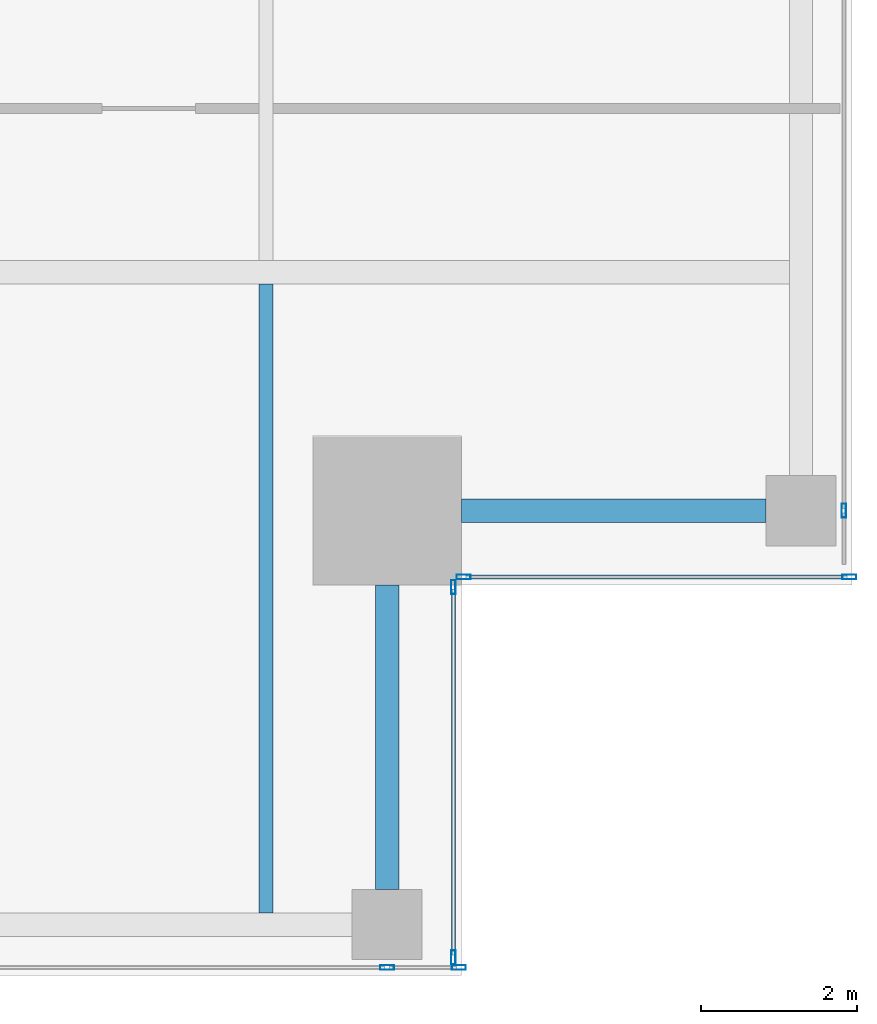
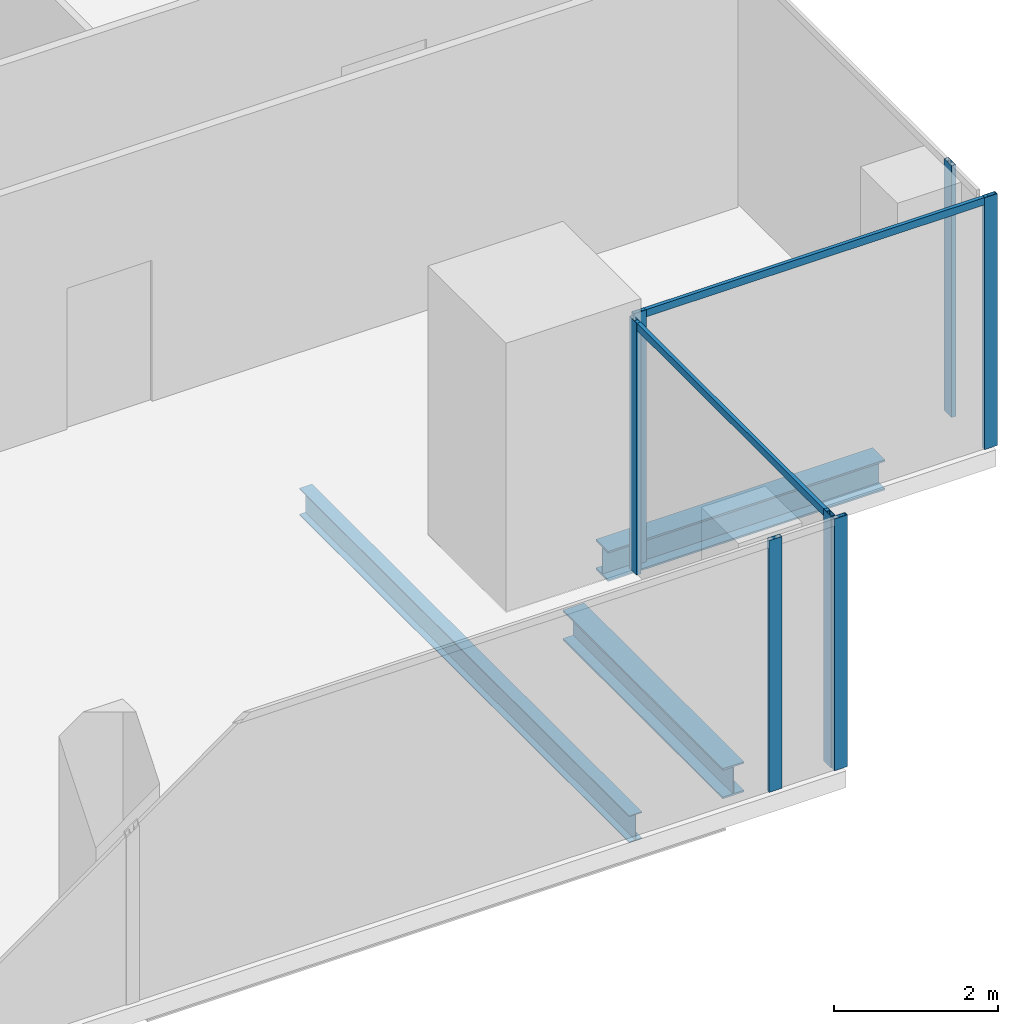
# One storey, part 10 of 35: 9 members, 3 beams, 4 elements without a shape of their own.
"""IFC4 building model written with IfcOpenShell, lengths in metres."""

from ifc_helpers import new_model, si_unit, direction, frame, origin, origin_2d, place, context, subcontext, project, spatial, hollow_rectangle, i_section, extrude, source, transform, mapped, material, material_profile, profile_set, type_object, element, aggregate, save


model = new_model("IFC4")

# Units and contexts
model_context = context("Model", 3, precision=1e-05, world=origin(), true_north=direction((0.0, 1.0)))
body_context = subcontext(model_context, "Body", "Model", "MODEL_VIEW")
ifc_project = project(units=[si_unit("LENGTHUNIT", "METRE"), si_unit("AREAUNIT", "SQUARE_METRE"), si_unit("VOLUMEUNIT", "CUBIC_METRE"), si_unit("PLANEANGLEUNIT", "RADIAN"), si_unit("MASSUNIT", "GRAM", prefix="KILO")], contexts=[model_context])

# Site, building, storey
site_placement = place(None, origin())
site = spatial("IfcSite", under=ifc_project, at=site_placement, CompositionType="ELEMENT")
building_placement = place(site_placement, origin())
building = spatial("IfcBuilding", under=site, at=building_placement, Name="Khomas Fold Tower", CompositionType="ELEMENT")
storey_placement = place(building_placement, frame((0.0, 0.0, 262.199951171875)))
storey = spatial("IfcBuildingStorey", under=building, at=storey_placement, Name="L59", CompositionType="ELEMENT", Elevation=262.199951171875)

# Beams
ifc_material_1 = material(Name="Steel S355", Category="steel")
ifc_material_profile_1 = material_profile(ifc_material_1, i_section(OverallWidth=0.300048828125, OverallDepth=0.449951171875, WebThickness=0.013916015625, FlangeThickness=0.02587890625, at=origin_2d()), Name="HE 450 B")
ifc_profile_set_1 = profile_set([ifc_material_profile_1], Name="Steel S355")
beam_type_1 = type_object("IfcBeamType", Name="HE 450 B spandrel SB4", PredefinedType="SPANDREL", material=ifc_profile_set_1)
shared_shape_1 = source(origin(), body_context, "Body", "SweptSolid", [
    extrude(i_section(OverallWidth=0.300048828125, OverallDepth=0.449951171875, WebThickness=0.013916015625, FlangeThickness=0.02587890625, at=origin_2d()), origin(), (0.0, 0.0, 1.0), 3.89990234375),
])
for number, where, z_axis, x_axis, name in (
    (1, (43.550048828125, 5.60009765625, -0.474853515625), (0.0, 1.0, 0.0), (-1.0, 0.0, 0.0), "SB4"),
    (2, (44.5, 10.449951171875, -0.474853515625), (1.0, 0.0, 0.0), (0.0, 1.0, 0.0), "SB4"),
):
    element("IfcBeam", number, at=place(storey_placement, frame(where, z_axis=z_axis, x_axis=x_axis)), inside=storey, type_object=beam_type_1, Name=name, PredefinedType="SPANDREL", context=body_context, shape_type="MappedRepresentation", body=[
        mapped(shared_shape_1, transform((0.0, 0.0, 0.0))),
    ])
ifc_material_2 = material(Name="Steel S355", Category="steel")
ifc_material_profile_2 = material_profile(ifc_material_2, i_section(OverallWidth=0.179931640625, OverallDepth=0.39990234375, WebThickness=0.008544921875, FlangeThickness=0.013427734375, at=origin_2d()), Name="IPE 400")
ifc_profile_set_2 = profile_set([ifc_material_profile_2], Name="Steel S355")
beam_type_2 = type_object("IfcBeamType", Name="IPE 400 beam JB3", PredefinedType="BEAM", material=ifc_profile_set_2)
shared_shape_2 = source(origin(), body_context, "Body", "SweptSolid", [
    extrude(i_section(OverallWidth=0.179931640625, OverallDepth=0.39990234375, WebThickness=0.008544921875, FlangeThickness=0.013427734375, at=origin_2d()), origin(), (0.0, 0.0, 1.0), 8.050048828125),
])
beam_placement = place(storey_placement, frame((42.0, 5.300048828125, -0.449951171875), z_axis=(0.0, 1.0, 0.0), x_axis=(-1.0, 0.0, 0.0)))
element("IfcBeam", 3, at=beam_placement, inside=storey, type_object=beam_type_2, Name="JB3", PredefinedType="BEAM", context=body_context, shape_type="MappedRepresentation", body=[
    mapped(shared_shape_2, transform((0.0, 0.0, 0.0))),
])

# Curtain wall, members
ifc_material_3 = material(Name="Aluminium framed double glazing", Category="aluminium")
curtain_wall_type = type_object("IfcCurtainWallType", Name="SK-Unitised clear-glass wall, office floors CW2", PredefinedType="NOTDEFINED", material=ifc_material_3)
curtain_wall_1_placement = place(storey_placement, origin())
curtain_wall_1 = element("IfcCurtainWall", 4, at=curtain_wall_1_placement, inside=storey, type_object=curtain_wall_type, Name="CW2 run L59 00-0", PredefinedType="NOTDEFINED")
ifc_material_4 = material(Name="Aluminium", Category="aluminium")
ifc_material_profile_3 = material_profile(ifc_material_4, hollow_rectangle(XDim=0.06005859375, YDim=0.179931640625, WallThickness=0.00390625, at=origin_2d()), Name="SK-Unitised clear-glass wall, office floors mullion CW2-M")
ifc_profile_set_3 = profile_set([ifc_material_profile_3], Name="Aluminium")
member_type_1 = type_object("IfcMemberType", Name="SK-Unitised clear-glass wall, office floors mullion CW2-M", PredefinedType="MULLION", material=ifc_profile_set_3)
shared_shape_3 = source(origin(), body_context, "Body", "SweptSolid", [
    extrude(hollow_rectangle(XDim=0.06005859375, YDim=0.179931640625, WallThickness=0.00390625, at=origin_2d()), origin(), (0.0, 0.0, 1.0), 3.75),
])
member_1_placement = place(storey_placement, frame((43.550048828125, 4.60009765625, 0.0), z_axis=(0.0, 0.0, 1.0), x_axis=(0.0, 1.0, 0.0)))
member_1 = element("IfcMember", 5, at=member_1_placement, type_object=member_type_1, Name="CW2 mullion 6", PredefinedType="MULLION", context=body_context, shape_type="MappedRepresentation", body=[
    mapped(shared_shape_3, transform((0.0, 0.0, 0.0))),
])
member_2_placement = place(storey_placement, frame((44.469970703125, 4.60009765625, 0.0), z_axis=(0.0, 0.0, 1.0), x_axis=(0.0, 1.0, 0.0)))
member_2 = element("IfcMember", 6, at=member_2_placement, type_object=member_type_1, Name="CW2 mullion 7", PredefinedType="MULLION", context=body_context, shape_type="MappedRepresentation", body=[
    mapped(shared_shape_3, transform((0.0, 0.0, 0.0))),
])
aggregate(curtain_wall_1, [member_1, member_2])

curtain_wall_2_placement = place(storey_placement, origin())
curtain_wall_2 = element("IfcCurtainWall", 7, at=curtain_wall_2_placement, inside=storey, type_object=curtain_wall_type, Name="CW2 corner return L59 01", PredefinedType="NOTDEFINED")
member_3_placement = place(storey_placement, frame((44.39990234375, 4.72998046875, 0.0), z_axis=(0.0, 0.0, 1.0), x_axis=(-1.0, 0.0, 0.0)))
member_3 = element("IfcMember", 8, at=member_3_placement, type_object=member_type_1, Name="CW2 mullion 1", PredefinedType="MULLION", context=body_context, shape_type="MappedRepresentation", body=[
    mapped(shared_shape_3, transform((0.0, 0.0, 0.0))),
])
member_4_placement = place(storey_placement, frame((44.39990234375, 9.469970703125, 0.0), z_axis=(0.0, 0.0, 1.0), x_axis=(-1.0, 0.0, 0.0)))
member_4 = element("IfcMember", 9, at=member_4_placement, type_object=member_type_1, Name="CW2 mullion 2", PredefinedType="MULLION", context=body_context, shape_type="MappedRepresentation", body=[
    mapped(shared_shape_3, transform((0.0, 0.0, 0.0))),
])

curtain_wall_3_placement = place(storey_placement, origin())
curtain_wall_3 = element("IfcCurtainWall", 10, at=curtain_wall_3_placement, inside=storey, type_object=curtain_wall_type, Name="CW2 corner return L59 02", PredefinedType="NOTDEFINED")
member_5_placement = place(storey_placement, frame((44.530029296875, 9.60009765625, 0.0), z_axis=(0.0, 0.0, 1.0), x_axis=(0.0, 1.0, 0.0)))
member_5 = element("IfcMember", 11, at=member_5_placement, type_object=member_type_1, Name="CW2 mullion 1", PredefinedType="MULLION", context=body_context, shape_type="MappedRepresentation", body=[
    mapped(shared_shape_3, transform((0.0, 0.0, 0.0))),
])
member_6_placement = place(storey_placement, frame((49.469970703125, 9.60009765625, 0.0), z_axis=(0.0, 0.0, 1.0), x_axis=(0.0, 1.0, 0.0)))
member_6 = element("IfcMember", 12, at=member_6_placement, type_object=member_type_1, Name="CW2 mullion 2", PredefinedType="MULLION", context=body_context, shape_type="MappedRepresentation", body=[
    mapped(shared_shape_3, transform((0.0, 0.0, 0.0))),
])

# Curtain wall, member
curtain_wall_4_placement = place(storey_placement, origin())
curtain_wall_4 = element("IfcCurtainWall", 13, at=curtain_wall_4_placement, inside=storey, type_object=curtain_wall_type, Name="CW2 run L59 03-0", PredefinedType="NOTDEFINED")
member_7_placement = place(storey_placement, frame((49.39990234375, 10.449951171875, 0.0), z_axis=(0.0, 0.0, 1.0), x_axis=(-1.0, 0.0, 0.0)))
member_7 = element("IfcMember", 14, at=member_7_placement, type_object=member_type_1, Name="CW2 mullion 2", PredefinedType="MULLION", context=body_context, shape_type="MappedRepresentation", body=[
    mapped(shared_shape_3, transform((0.0, 0.0, 0.0))),
])
aggregate(curtain_wall_4, [member_7])

# Member
ifc_material_5 = material(Name="Aluminium", Category="aluminium")
ifc_material_profile_4 = material_profile(ifc_material_5, hollow_rectangle(XDim=0.050048828125, YDim=0.110107421875, WallThickness=0.00390625, at=origin_2d()), Name="SK-Unitised clear-glass wall, office floors transom CW2-T")
ifc_profile_set_4 = profile_set([ifc_material_profile_4], Name="Aluminium")
member_type_2 = type_object("IfcMemberType", Name="SK-Unitised clear-glass wall, office floors transom CW2-T", PredefinedType="USERDEFINED", material=ifc_profile_set_4)
shared_shape_4 = source(origin(), body_context, "Body", "SweptSolid", [
    extrude(hollow_rectangle(XDim=0.050048828125, YDim=0.110107421875, WallThickness=0.00390625, at=origin_2d()), origin(), (0.0, 0.0, 1.0), 4.679931640625),
])
member_8_placement = place(storey_placement, frame((44.39990234375, 4.760009765625, 3.695068359375), z_axis=(0.0, 1.0, 0.0), x_axis=(-1.0, 0.0, 0.0)))
member_8 = element("IfcMember", 15, at=member_8_placement, type_object=member_type_2, Name="CW2 transom 1", ObjectType="TRANSOM", PredefinedType="USERDEFINED", context=body_context, shape_type="MappedRepresentation", body=[
    mapped(shared_shape_4, transform((0.0, 0.0, 0.0))),
])

aggregate(curtain_wall_2, [member_3, member_4, member_8])

shared_shape_5 = source(origin(), body_context, "Body", "SweptSolid", [
    extrude(hollow_rectangle(XDim=0.050048828125, YDim=0.110107421875, WallThickness=0.00390625, at=origin_2d()), origin(), (0.0, 0.0, 1.0), 4.8798828125),
])
member_9_placement = place(storey_placement, frame((44.56005859375, 9.60009765625, 3.695068359375), z_axis=(1.0, 0.0, 0.0), x_axis=(0.0, 1.0, 0.0)))
member_9 = element("IfcMember", 16, at=member_9_placement, type_object=member_type_2, Name="CW2 transom 1", ObjectType="TRANSOM", PredefinedType="USERDEFINED", context=body_context, shape_type="MappedRepresentation", body=[
    mapped(shared_shape_5, transform((0.0, 0.0, 0.0))),
])

aggregate(curtain_wall_3, [member_5, member_6, member_9])

save(model, "model.ifc")
